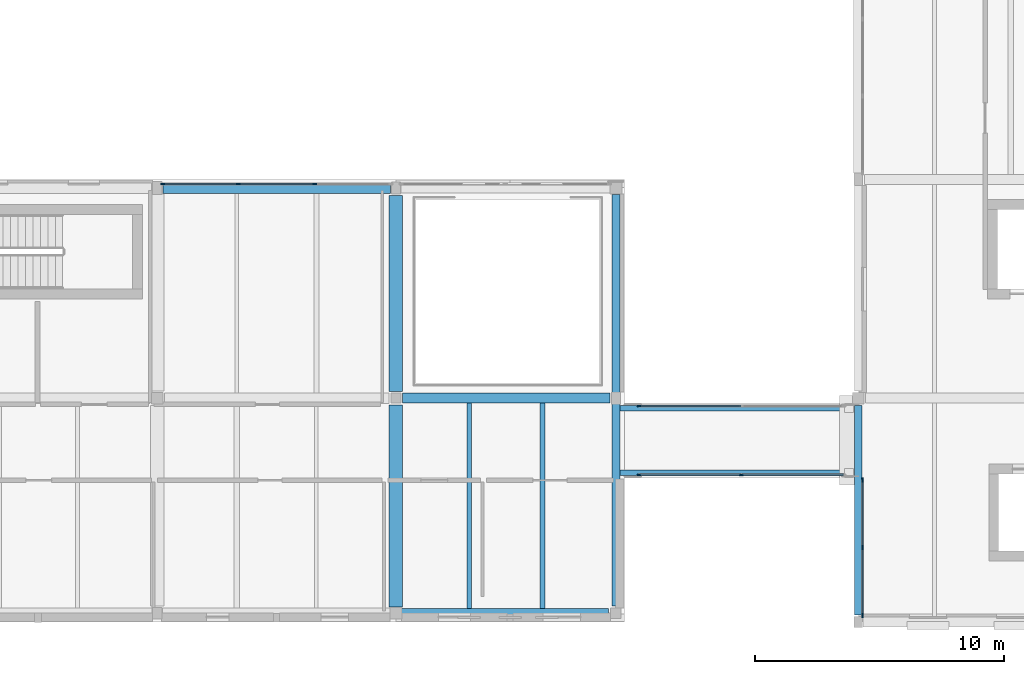
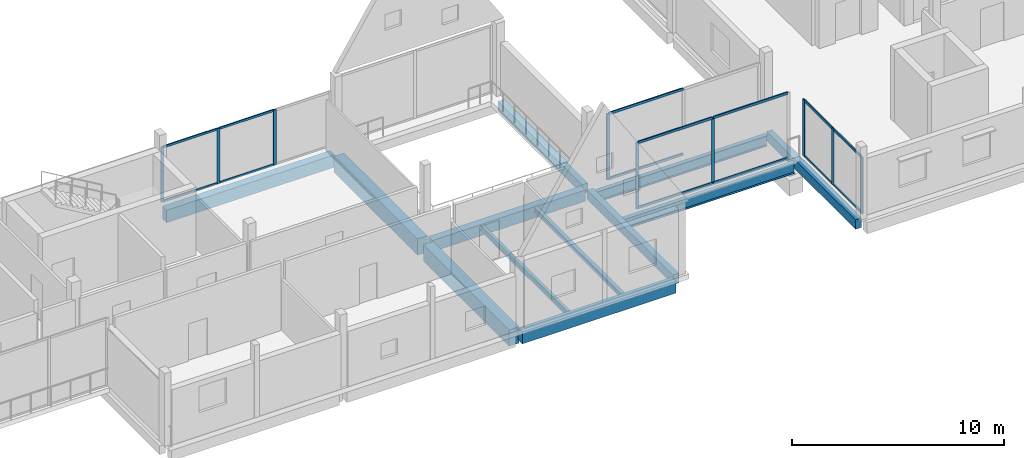
# One storey, part 8 of 35: 23 members, 12 beams, 4 elements without a shape of their own.
"""IFC4 building model written with IfcOpenShell, lengths in metres."""

from ifc_helpers import new_model, si_unit, direction, frame, origin, origin_2d, place, context, subcontext, project, spatial, rectangle, i_section, extrude, material, layer, layer_set, material_profile, profile_set, type_object, element, aggregate, save


model = new_model("IFC4")

# Units and contexts
model_context = context("Model", 3, precision=1e-05, world=origin(), true_north=direction((0.0, 1.0)))
body_context = subcontext(model_context, "Body", "Model", "MODEL_VIEW")
ifc_project = project(units=[si_unit("LENGTHUNIT", "METRE"), si_unit("AREAUNIT", "SQUARE_METRE"), si_unit("VOLUMEUNIT", "CUBIC_METRE"), si_unit("PLANEANGLEUNIT", "RADIAN"), si_unit("MASSUNIT", "GRAM", prefix="KILO")], contexts=[model_context])

# Site, building, storey
site_placement = place(None, origin())
site = spatial("IfcSite", under=ifc_project, at=site_placement, CompositionType="ELEMENT")
building_placement = place(site_placement, origin())
building = spatial("IfcBuilding", under=site, at=building_placement, Name="Birchvale Park Specialist Clinic", CompositionType="ELEMENT")
storey_placement = place(building_placement, frame((0.0, 0.0, 13.800048828125)))
storey = spatial("IfcBuildingStorey", under=building, at=storey_placement, Name="L03", CompositionType="ELEMENT", Elevation=13.800048828125)

# Beams
ifc_material_1 = material(Name="Concrete C40/50", Category="concrete")
ifc_material_profile_1 = material_profile(ifc_material_1, rectangle(XDim=0.419921875, YDim=0.719970703125, at=origin_2d()), Name="RCB-420x720")
ifc_profile_set_1 = profile_set([ifc_material_profile_1], Name="Concrete C40/50")
beam_type_1 = type_object("IfcBeamType", Name="BM-EXT-BG3", PredefinedType="BEAM", material=ifc_profile_set_1)
beam_1_placement = place(storey_placement, frame((100.0400390625, 34.25, -0.64013671875), z_axis=(1.0, 0.0, 0.0), x_axis=(0.0, 1.0, 0.0)))
element("IfcBeam", 1, at=beam_1_placement, inside=storey, type_object=beam_type_1, Name="V4 L03 X girder 16", PredefinedType="BEAM", context=body_context, shape_type="SweptSolid", body=[
    extrude(rectangle(XDim=0.419921875, YDim=0.719970703125, at=origin_2d()), origin(), (0.0, 0.0, 1.0), 9.14990234375),
])
ifc_material_profile_2 = material_profile(ifc_material_1, rectangle(XDim=0.39990234375, YDim=0.68994140625, at=origin_2d()), Name="RCB-400x690")
ifc_profile_set_2 = profile_set([ifc_material_profile_2], Name="Concrete C40/50")
beam_type_2 = type_object("IfcBeamType", Name="BM-EXT-BG4", PredefinedType="BEAM", material=ifc_profile_set_2)
beam_2_placement = place(storey_placement, frame((109.5849609375, 17.14990234375, -0.625), z_axis=(1.0, 0.0, 0.0), x_axis=(0.0, 1.0, 0.0)))
element("IfcBeam", 2, at=beam_2_placement, inside=storey, type_object=beam_type_2, Name="V4 L03 X girder 5", PredefinedType="BEAM", context=body_context, shape_type="SweptSolid", body=[
    extrude(rectangle(XDim=0.39990234375, YDim=0.68994140625, at=origin_2d()), origin(), (0.0, 0.0, 1.0), 8.375),
])
ifc_material_profile_3 = material_profile(ifc_material_1, rectangle(XDim=0.320068359375, YDim=0.5400390625, at=origin_2d()), Name="RCB-320x540")
ifc_profile_set_3 = profile_set([ifc_material_profile_3], Name="Concrete C40/50")
beam_type_3 = type_object("IfcBeamType", Name="BM-EXT-BG7", PredefinedType="BEAM", material=ifc_profile_set_3)
beam_3_placement = place(storey_placement, frame((118.25, 17.43994140625, -0.550048828125), z_axis=(0.0, 1.0, 0.0), x_axis=(-1.0, 0.0, 0.0)))
element("IfcBeam", 3, at=beam_3_placement, inside=storey, type_object=beam_type_3, Name="V4 L03 Y girder 30", PredefinedType="BEAM", context=body_context, shape_type="SweptSolid", body=[
    extrude(rectangle(XDim=0.320068359375, YDim=0.5400390625, at=origin_2d()), origin(), (0.0, 0.0, 1.0), 8.1201171875),
])
beam_4_placement = place(storey_placement, frame((118.25, 26.0400390625, -0.550048828125), z_axis=(0.0, 1.0, 0.0), x_axis=(-1.0, 0.0, 0.0)))
element("IfcBeam", 4, at=beam_4_placement, inside=storey, type_object=beam_type_3, Name="V4 L03 Y girder 31", PredefinedType="BEAM", context=body_context, shape_type="SweptSolid", body=[
    extrude(rectangle(XDim=0.320068359375, YDim=0.5400390625, at=origin_2d()), origin(), (0.0, 0.0, 1.0), 7.949951171875),
])
beam_5_placement = place(storey_placement, frame((128.0, 17.074951171875, -0.550048828125), z_axis=(0.0, 1.0, 0.0), x_axis=(-1.0, 0.0, 0.0)))
element("IfcBeam", 5, at=beam_5_placement, inside=storey, type_object=beam_type_3, Name="V5 L03 Y girder 13", PredefinedType="BEAM", context=body_context, shape_type="SweptSolid", body=[
    extrude(rectangle(XDim=0.320068359375, YDim=0.5400390625, at=origin_2d()), origin(), (0.0, 0.0, 1.0), 8.425048828125),
])
ifc_material_profile_4 = material_profile(ifc_material_1, rectangle(XDim=0.550048828125, YDim=0.93994140625, at=origin_2d()), Name="RCB-550x940")
ifc_profile_set_4 = profile_set([ifc_material_profile_4], Name="Concrete C40/50")
beam_type_4 = type_object("IfcBeamType", Name="BM-EXT-RB1", PredefinedType="BEAM", material=ifc_profile_set_4)
beam_6_placement = place(storey_placement, frame((109.39990234375, 17.409912109375, -0.75), z_axis=(0.0, 1.0, 0.0), x_axis=(-1.0, 0.0, 0.0)))
element("IfcBeam", 6, at=beam_6_placement, inside=storey, type_object=beam_type_4, Name="V4 L03 Y girder 28", PredefinedType="BEAM", context=body_context, shape_type="SweptSolid", body=[
    extrude(rectangle(XDim=0.550048828125, YDim=0.93994140625, at=origin_2d()), origin(), (0.0, 0.0, 1.0), 8.114990234375),
])
beam_7_placement = place(storey_placement, frame((109.39990234375, 26.074951171875, -0.75), z_axis=(0.0, 1.0, 0.0), x_axis=(-1.0, 0.0, 0.0)))
element("IfcBeam", 7, at=beam_7_placement, inside=storey, type_object=beam_type_4, Name="V4 L03 Y girder 29", PredefinedType="BEAM", context=body_context, shape_type="SweptSolid", body=[
    extrude(rectangle(XDim=0.550048828125, YDim=0.93994140625, at=origin_2d()), origin(), (0.0, 0.0, 1.0), 7.885009765625),
])
ifc_material_profile_5 = material_profile(ifc_material_1, rectangle(XDim=0.39990234375, YDim=0.64990234375, at=origin_2d()), Name="RCB-400x650")
ifc_profile_set_5 = profile_set([ifc_material_profile_5], Name="Concrete C40/50")
beam_type_5 = type_object("IfcBeamType", Name="BM-INT-BG4", PredefinedType="BEAM", material=ifc_profile_set_5)
beam_8_placement = place(storey_placement, frame((109.675048828125, 25.800048828125, -0.60498046875), z_axis=(1.0, 0.0, 0.0), x_axis=(0.0, 1.0, 0.0)))
element("IfcBeam", 8, at=beam_8_placement, inside=storey, type_object=beam_type_5, Name="V4 L03 X girder 11", PredefinedType="BEAM", context=body_context, shape_type="SweptSolid", body=[
    extrude(rectangle(XDim=0.39990234375, YDim=0.64990234375, at=origin_2d()), origin(), (0.0, 0.0, 1.0), 8.3349609375),
])

# Curtain wall, members
ifc_material_2 = material(Name="Thermally broken anodised aluminium", Category="aluminium")
ifc_layer_1 = layer(ifc_material_2, 0.179931640625)
ifc_layer_set_1 = layer_set([ifc_layer_1], Name="Thermally broken anodised aluminium")
curtain_wall_type_1 = type_object("IfcCurtainWallType", Name="CW-U1", PredefinedType="USERDEFINED", material=ifc_layer_set_1)
curtain_wall_1_placement = place(storey_placement, origin())
curtain_wall_1 = element("IfcCurtainWall", 9, at=curtain_wall_1_placement, inside=storey, type_object=curtain_wall_type_1, Name="V4 L03 glazed curtain wall 124", ObjectType="UNITISED", PredefinedType="USERDEFINED")
ifc_material_profile_6 = material_profile(ifc_material_2, rectangle(XDim=0.06005859375, YDim=0.159912109375, at=origin_2d()), Name="CWM-60x160")
ifc_profile_set_6 = profile_set([ifc_material_profile_6], Name="Thermally broken anodised aluminium")
member_type_1 = type_object("IfcMemberType", Name="CWM1", PredefinedType="MULLION", material=ifc_profile_set_6)
member_1_placement = place(storey_placement, frame((106.138427734375, 34.409912109375, 0.0), z_axis=(0.0, 0.0, 1.0), x_axis=(0.0, -1.0, 0.0)))
member_1 = element("IfcMember", 10, at=member_1_placement, type_object=member_type_1, Name="CW mullion 2", PredefinedType="MULLION", context=body_context, shape_type="SweptSolid", body=[
    extrude(rectangle(XDim=0.06005859375, YDim=0.159912109375, at=origin_2d()), origin(), (0.0, 0.0, 1.0), 3.18505859375),
])
member_2_placement = place(storey_placement, frame((103.061767578125, 34.409912109375, 0.0), z_axis=(0.0, 0.0, 1.0), x_axis=(0.0, -1.0, 0.0)))
member_2 = element("IfcMember", 11, at=member_2_placement, type_object=member_type_1, Name="CW mullion 3", PredefinedType="MULLION", context=body_context, shape_type="SweptSolid", body=[
    extrude(rectangle(XDim=0.06005859375, YDim=0.159912109375, at=origin_2d()), origin(), (0.0, 0.0, 1.0), 3.18505859375),
])
member_3_placement = place(storey_placement, frame((100.014892578125, 34.409912109375, 0.0), z_axis=(0.0, 0.0, 1.0), x_axis=(0.0, -1.0, 0.0)))
member_3 = element("IfcMember", 12, at=member_3_placement, type_object=member_type_1, Name="CW mullion 4", PredefinedType="MULLION", context=body_context, shape_type="SweptSolid", body=[
    extrude(rectangle(XDim=0.06005859375, YDim=0.159912109375, at=origin_2d()), origin(), (0.0, 0.0, 1.0), 3.18505859375),
])

ifc_layer_2 = layer(ifc_material_2, 0.14990234375)
ifc_layer_set_2 = layer_set([ifc_layer_2], Name="Thermally broken anodised aluminium")
curtain_wall_type_2 = type_object("IfcCurtainWallType", Name="CW-S2", PredefinedType="USERDEFINED", material=ifc_layer_set_2)
curtain_wall_2_placement = place(storey_placement, origin())
curtain_wall_2 = element("IfcCurtainWall", 13, at=curtain_wall_2_placement, inside=storey, type_object=curtain_wall_type_2, Name="V4 L03 glazed curtain wall 155", ObjectType="STICK", PredefinedType="USERDEFINED")
member_4_placement = place(storey_placement, frame((119.179931640625, 22.719970703125, 0.0), z_axis=(0.0, 0.0, 1.0), x_axis=(0.0, 1.0, 0.0)))
member_4 = element("IfcMember", 14, at=member_4_placement, type_object=member_type_1, Name="CW mullion 1", PredefinedType="MULLION", context=body_context, shape_type="SweptSolid", body=[
    extrude(rectangle(XDim=0.06005859375, YDim=0.159912109375, at=origin_2d()), origin(), (0.0, 0.0, 1.0), 3.820068359375),
])
member_5_placement = place(storey_placement, frame((123.300048828125, 22.719970703125, 0.0), z_axis=(0.0, 0.0, 1.0), x_axis=(0.0, 1.0, 0.0)))
member_5 = element("IfcMember", 15, at=member_5_placement, type_object=member_type_1, Name="CW mullion 2", PredefinedType="MULLION", context=body_context, shape_type="SweptSolid", body=[
    extrude(rectangle(XDim=0.06005859375, YDim=0.159912109375, at=origin_2d()), origin(), (0.0, 0.0, 1.0), 3.820068359375),
])

# Curtain wall, member
curtain_wall_3_placement = place(storey_placement, origin())
curtain_wall_3 = element("IfcCurtainWall", 16, at=curtain_wall_3_placement, inside=storey, type_object=curtain_wall_type_2, Name="V4 L03 glazed curtain wall 156", ObjectType="STICK", PredefinedType="USERDEFINED")
member_6_placement = place(storey_placement, frame((119.179931640625, 25.47998046875, 0.0), z_axis=(0.0, 0.0, 1.0), x_axis=(0.0, -1.0, 0.0)))
member_6 = element("IfcMember", 17, at=member_6_placement, type_object=member_type_1, Name="CW mullion 3", PredefinedType="MULLION", context=body_context, shape_type="SweptSolid", body=[
    extrude(rectangle(XDim=0.06005859375, YDim=0.159912109375, at=origin_2d()), origin(), (0.0, 0.0, 1.0), 3.820068359375),
])

# Curtain wall, members
ifc_layer_3 = layer(ifc_material_2, 0.195068359375)
ifc_layer_set_3 = layer_set([ifc_layer_3], Name="Thermally broken anodised aluminium")
curtain_wall_type_3 = type_object("IfcCurtainWallType", Name="CW-U2", PredefinedType="USERDEFINED", material=ifc_layer_set_3)
curtain_wall_4_placement = place(storey_placement, origin())
curtain_wall_4 = element("IfcCurtainWall", 18, at=curtain_wall_4_placement, inside=storey, type_object=curtain_wall_type_3, Name="V5 L03 glazed curtain wall 129", ObjectType="UNITISED", PredefinedType="USERDEFINED")
ifc_material_profile_7 = material_profile(ifc_material_2, rectangle(XDim=0.06494140625, YDim=0.179931640625, at=origin_2d()), Name="CWM-65x180")
ifc_profile_set_7 = profile_set([ifc_material_profile_7], Name="Thermally broken anodised aluminium")
member_type_2 = type_object("IfcMemberType", Name="CWM2", PredefinedType="MULLION", material=ifc_profile_set_7)
member_7_placement = place(storey_placement, frame((128.175048828125, 22.517578125, 0.0), z_axis=(0.0, 0.0, 1.0), x_axis=(1.0, 0.0, 0.0)))
member_7 = element("IfcMember", 19, at=member_7_placement, type_object=member_type_2, Name="CW mullion 1", PredefinedType="MULLION", context=body_context, shape_type="SweptSolid", body=[
    extrude(rectangle(XDim=0.06494140625, YDim=0.179931640625, at=origin_2d()), origin(), (0.0, 0.0, 1.0), 3.264892578125),
])
member_8_placement = place(storey_placement, frame((128.175048828125, 19.78759765625, 0.0), z_axis=(0.0, 0.0, 1.0), x_axis=(1.0, 0.0, 0.0)))
member_8 = element("IfcMember", 20, at=member_8_placement, type_object=member_type_2, Name="CW mullion 2", PredefinedType="MULLION", context=body_context, shape_type="SweptSolid", body=[
    extrude(rectangle(XDim=0.06494140625, YDim=0.179931640625, at=origin_2d()), origin(), (0.0, 0.0, 1.0), 3.264892578125),
])
member_9_placement = place(storey_placement, frame((128.175048828125, 17.0576171875, 0.0), z_axis=(0.0, 0.0, 1.0), x_axis=(1.0, 0.0, 0.0)))
member_9 = element("IfcMember", 21, at=member_9_placement, type_object=member_type_2, Name="CW mullion 3", PredefinedType="MULLION", context=body_context, shape_type="SweptSolid", body=[
    extrude(rectangle(XDim=0.06494140625, YDim=0.179931640625, at=origin_2d()), origin(), (0.0, 0.0, 1.0), 3.264892578125),
])

# Member
ifc_material_profile_8 = material_profile(ifc_material_2, rectangle(XDim=0.06005859375, YDim=0.1201171875, at=origin_2d()), Name="CWT-60x120")
ifc_profile_set_8 = profile_set([ifc_material_profile_8], Name="Thermally broken anodised aluminium")
member_type_3 = type_object("IfcMemberType", Name="CWT1", PredefinedType="USERDEFINED", material=ifc_profile_set_8)
member_10_placement = place(storey_placement, frame((106.1083984375, 34.409912109375, 0.030029296875), z_axis=(-1.0, 0.0, 0.0), x_axis=(0.0, -1.0, 0.0)))
member_10 = element("IfcMember", 22, at=member_10_placement, type_object=member_type_3, Name="CW transom 2.1", ObjectType="TRANSOM", PredefinedType="USERDEFINED", context=body_context, shape_type="SweptSolid", body=[
    extrude(rectangle(XDim=0.06005859375, YDim=0.1201171875, at=origin_2d()), origin(), (0.0, 0.0, 1.0), 3.016845703125),
])

member_11_placement = place(storey_placement, frame((106.1083984375, 34.409912109375, 3.155029296875), z_axis=(-1.0, 0.0, 0.0), x_axis=(0.0, -1.0, 0.0)))
member_11 = element("IfcMember", 23, at=member_11_placement, type_object=member_type_3, Name="CW transom 2.2", ObjectType="TRANSOM", PredefinedType="USERDEFINED", context=body_context, shape_type="SweptSolid", body=[
    extrude(rectangle(XDim=0.06005859375, YDim=0.1201171875, at=origin_2d()), origin(), (0.0, 0.0, 1.0), 3.016845703125),
])

member_12_placement = place(storey_placement, frame((103.03173828125, 34.409912109375, 0.030029296875), z_axis=(-1.0, 0.0, 0.0), x_axis=(0.0, -1.0, 0.0)))
member_12 = element("IfcMember", 24, at=member_12_placement, type_object=member_type_3, Name="CW transom 3.1", ObjectType="TRANSOM", PredefinedType="USERDEFINED", context=body_context, shape_type="SweptSolid", body=[
    extrude(rectangle(XDim=0.06005859375, YDim=0.1201171875, at=origin_2d()), origin(), (0.0, 0.0, 1.0), 2.98681640625),
])

member_13_placement = place(storey_placement, frame((103.03173828125, 34.409912109375, 3.155029296875), z_axis=(-1.0, 0.0, 0.0), x_axis=(0.0, -1.0, 0.0)))
member_13 = element("IfcMember", 25, at=member_13_placement, type_object=member_type_3, Name="CW transom 3.2", ObjectType="TRANSOM", PredefinedType="USERDEFINED", context=body_context, shape_type="SweptSolid", body=[
    extrude(rectangle(XDim=0.06005859375, YDim=0.1201171875, at=origin_2d()), origin(), (0.0, 0.0, 1.0), 2.98681640625),
])

aggregate(curtain_wall_1, [member_1, member_2, member_3, member_10, member_11, member_12, member_13])

ifc_material_profile_9 = material_profile(ifc_material_2, rectangle(XDim=0.06494140625, YDim=0.139892578125, at=origin_2d()), Name="CWT-65x140")
ifc_profile_set_9 = profile_set([ifc_material_profile_9], Name="Thermally broken anodised aluminium")
member_type_4 = type_object("IfcMemberType", Name="CWT2", PredefinedType="USERDEFINED", material=ifc_profile_set_9)
member_14_placement = place(storey_placement, frame((128.175048828125, 22.485107421875, 0.032470703125), z_axis=(0.0, -1.0, 0.0), x_axis=(1.0, 0.0, 0.0)))
member_14 = element("IfcMember", 26, at=member_14_placement, type_object=member_type_4, Name="CW transom 1.1", ObjectType="TRANSOM", PredefinedType="USERDEFINED", context=body_context, shape_type="SweptSolid", body=[
    extrude(rectangle(XDim=0.06494140625, YDim=0.139892578125, at=origin_2d()), origin(), (0.0, 0.0, 1.0), 2.6650390625),
])

member_15_placement = place(storey_placement, frame((128.175048828125, 22.485107421875, 3.232421875), z_axis=(0.0, -1.0, 0.0), x_axis=(1.0, 0.0, 0.0)))
member_15 = element("IfcMember", 27, at=member_15_placement, type_object=member_type_4, Name="CW transom 1.2", ObjectType="TRANSOM", PredefinedType="USERDEFINED", context=body_context, shape_type="SweptSolid", body=[
    extrude(rectangle(XDim=0.06494140625, YDim=0.139892578125, at=origin_2d()), origin(), (0.0, 0.0, 1.0), 2.6650390625),
])

member_16_placement = place(storey_placement, frame((128.175048828125, 19.7548828125, 0.032470703125), z_axis=(0.0, -1.0, 0.0), x_axis=(1.0, 0.0, 0.0)))
member_16 = element("IfcMember", 28, at=member_16_placement, type_object=member_type_4, Name="CW transom 2.1", ObjectType="TRANSOM", PredefinedType="USERDEFINED", context=body_context, shape_type="SweptSolid", body=[
    extrude(rectangle(XDim=0.06494140625, YDim=0.139892578125, at=origin_2d()), origin(), (0.0, 0.0, 1.0), 2.664794921875),
])

member_17_placement = place(storey_placement, frame((128.175048828125, 19.7548828125, 3.232421875), z_axis=(0.0, -1.0, 0.0), x_axis=(1.0, 0.0, 0.0)))
member_17 = element("IfcMember", 29, at=member_17_placement, type_object=member_type_4, Name="CW transom 2.2", ObjectType="TRANSOM", PredefinedType="USERDEFINED", context=body_context, shape_type="SweptSolid", body=[
    extrude(rectangle(XDim=0.06494140625, YDim=0.139892578125, at=origin_2d()), origin(), (0.0, 0.0, 1.0), 2.664794921875),
])

aggregate(curtain_wall_4, [member_7, member_8, member_9, member_14, member_15, member_16, member_17])

member_18_placement = place(storey_placement, frame((119.2099609375, 22.719970703125, 0.032470703125), z_axis=(1.0, 0.0, 0.0), x_axis=(0.0, 1.0, 0.0)))
member_18 = element("IfcMember", 30, at=member_18_placement, type_object=member_type_4, Name="CW transom 1.1", ObjectType="TRANSOM", PredefinedType="USERDEFINED", context=body_context, shape_type="SweptSolid", body=[
    extrude(rectangle(XDim=0.06494140625, YDim=0.139892578125, at=origin_2d()), origin(), (0.0, 0.0, 1.0), 4.06005859375),
])

member_19_placement = place(storey_placement, frame((119.2099609375, 22.719970703125, 3.787353515625), z_axis=(1.0, 0.0, 0.0), x_axis=(0.0, 1.0, 0.0)))
member_19 = element("IfcMember", 31, at=member_19_placement, type_object=member_type_4, Name="CW transom 1.2", ObjectType="TRANSOM", PredefinedType="USERDEFINED", context=body_context, shape_type="SweptSolid", body=[
    extrude(rectangle(XDim=0.06494140625, YDim=0.139892578125, at=origin_2d()), origin(), (0.0, 0.0, 1.0), 4.06005859375),
])

member_20_placement = place(storey_placement, frame((123.330078125, 22.719970703125, 0.032470703125), z_axis=(1.0, 0.0, 0.0), x_axis=(0.0, 1.0, 0.0)))
member_20 = element("IfcMember", 32, at=member_20_placement, type_object=member_type_4, Name="CW transom 2.1", ObjectType="TRANSOM", PredefinedType="USERDEFINED", context=body_context, shape_type="SweptSolid", body=[
    extrude(rectangle(XDim=0.06494140625, YDim=0.139892578125, at=origin_2d()), origin(), (0.0, 0.0, 1.0), 4.059814453125),
])

member_21_placement = place(storey_placement, frame((123.330078125, 22.719970703125, 3.787353515625), z_axis=(1.0, 0.0, 0.0), x_axis=(0.0, 1.0, 0.0)))
member_21 = element("IfcMember", 33, at=member_21_placement, type_object=member_type_4, Name="CW transom 2.2", ObjectType="TRANSOM", PredefinedType="USERDEFINED", context=body_context, shape_type="SweptSolid", body=[
    extrude(rectangle(XDim=0.06494140625, YDim=0.139892578125, at=origin_2d()), origin(), (0.0, 0.0, 1.0), 4.059814453125),
])

aggregate(curtain_wall_2, [member_4, member_5, member_18, member_19, member_20, member_21])

member_22_placement = place(storey_placement, frame((123.27001953125, 25.47998046875, 0.032470703125), z_axis=(-1.0, 0.0, 0.0), x_axis=(0.0, -1.0, 0.0)))
member_22 = element("IfcMember", 34, at=member_22_placement, type_object=member_type_4, Name="CW transom 2.1", ObjectType="TRANSOM", PredefinedType="USERDEFINED", context=body_context, shape_type="SweptSolid", body=[
    extrude(rectangle(XDim=0.06494140625, YDim=0.139892578125, at=origin_2d()), origin(), (0.0, 0.0, 1.0), 4.06005859375),
])

member_23_placement = place(storey_placement, frame((123.27001953125, 25.47998046875, 3.787353515625), z_axis=(-1.0, 0.0, 0.0), x_axis=(0.0, -1.0, 0.0)))
member_23 = element("IfcMember", 35, at=member_23_placement, type_object=member_type_4, Name="CW transom 2.2", ObjectType="TRANSOM", PredefinedType="USERDEFINED", context=body_context, shape_type="SweptSolid", body=[
    extrude(rectangle(XDim=0.06494140625, YDim=0.139892578125, at=origin_2d()), origin(), (0.0, 0.0, 1.0), 4.06005859375),
])

aggregate(curtain_wall_3, [member_6, member_22, member_23])

# Beams
ifc_material_3 = material(Name="Steel ASTM A992 Grade 50", Category="steel")
ifc_material_profile_10 = material_profile(ifc_material_3, i_section(OverallWidth=0.22900390625, OverallDepth=0.612060546875, WebThickness=0.011962890625, FlangeThickness=0.01953125, at=origin_2d()), Name="W24X84")
ifc_profile_set_10 = profile_set([ifc_material_profile_10], Name="Steel ASTM A992 Grade 50")
beam_type_6 = type_object("IfcBeamType", Name="STL-EXT-SB2", PredefinedType="BEAM", material=ifc_profile_set_10)
for number, where, z_axis, x_axis, name in (
    (36, (118.409912109375, 22.800048828125, -0.671142578125), (1.0, 0.0, 0.0), (0.0, 1.0, 0.0), "L03 link bridge girder BRG-3.1"),
    (37, (118.409912109375, 25.39990234375, -0.671142578125), (1.0, 0.0, 0.0), (0.0, 1.0, 0.0), "L03 link bridge girder BRG-3.2"),
):
    element("IfcBeam", number, at=place(storey_placement, frame(where, z_axis=z_axis, x_axis=x_axis)), inside=storey, type_object=beam_type_6, Name=name, PredefinedType="BEAM", context=body_context, shape_type="SweptSolid", body=[
        extrude(i_section(OverallWidth=0.22900390625, OverallDepth=0.612060546875, WebThickness=0.011962890625, FlangeThickness=0.01953125, at=origin_2d()), origin(), (0.0, 0.0, 1.0), 9.3701171875),
    ])
ifc_material_profile_11 = material_profile(ifc_material_3, i_section(OverallWidth=0.1669921875, OverallDepth=0.31689453125, WebThickness=0.007568359375, FlangeThickness=0.01318359375, at=origin_2d()), Name="W12X35")
ifc_profile_set_11 = profile_set([ifc_material_profile_11], Name="Steel ASTM A992 Grade 50")
beam_type_7 = type_object("IfcBeamType", Name="STL-INT-SJ3", PredefinedType="JOIST", material=ifc_profile_set_11)
beam_9_placement = place(storey_placement, frame((112.35009765625, 17.35009765625, -0.4384765625), z_axis=(0.0, 1.0, 0.0), x_axis=(-1.0, 0.0, 0.0)))
element("IfcBeam", 38, at=beam_9_placement, inside=storey, type_object=beam_type_7, Name="V4 L03 secondary floor joist 11", PredefinedType="JOIST", context=body_context, shape_type="SweptSolid", body=[
    extrude(i_section(OverallWidth=0.1669921875, OverallDepth=0.31689453125, WebThickness=0.007568359375, FlangeThickness=0.01318359375, at=origin_2d()), origin(), (0.0, 0.0, 1.0), 8.25),
])
ifc_material_profile_12 = material_profile(ifc_material_3, i_section(OverallWidth=0.202880859375, OverallDepth=0.251953125, WebThickness=0.008056640625, FlangeThickness=0.013427734375, at=origin_2d()), Name="W10X39")
ifc_profile_set_12 = profile_set([ifc_material_profile_12], Name="Steel ASTM A992 Grade 50")
beam_type_8 = type_object("IfcBeamType", Name="STL-INT-SJ4", PredefinedType="JOIST", material=ifc_profile_set_12)
beam_10_placement = place(storey_placement, frame((115.300048828125, 17.35009765625, -0.406005859375), z_axis=(0.0, 1.0, 0.0), x_axis=(-1.0, 0.0, 0.0)))
element("IfcBeam", 39, at=beam_10_placement, inside=storey, type_object=beam_type_8, Name="V4 L03 secondary floor joist 12", PredefinedType="JOIST", context=body_context, shape_type="SweptSolid", body=[
    extrude(i_section(OverallWidth=0.202880859375, OverallDepth=0.251953125, WebThickness=0.008056640625, FlangeThickness=0.013427734375, at=origin_2d()), origin(), (0.0, 0.0, 1.0), 8.25),
])

save(model, "model.ifc")
